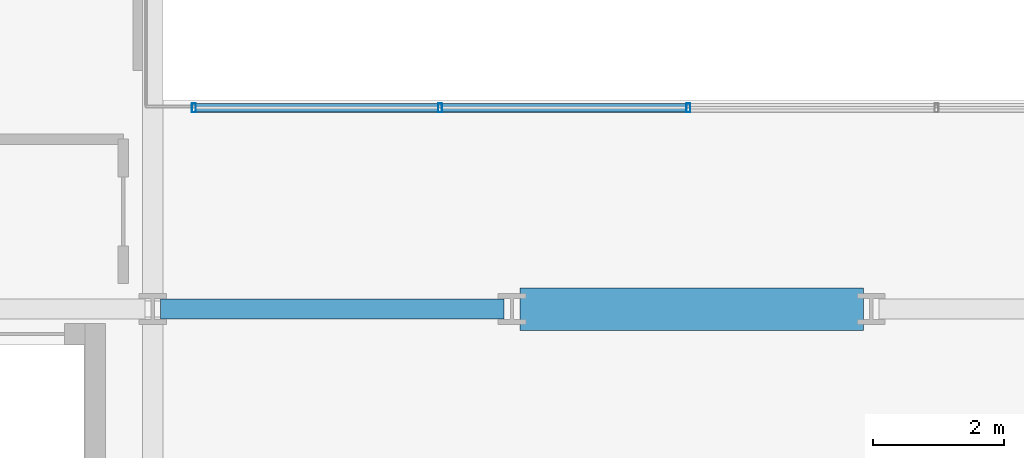
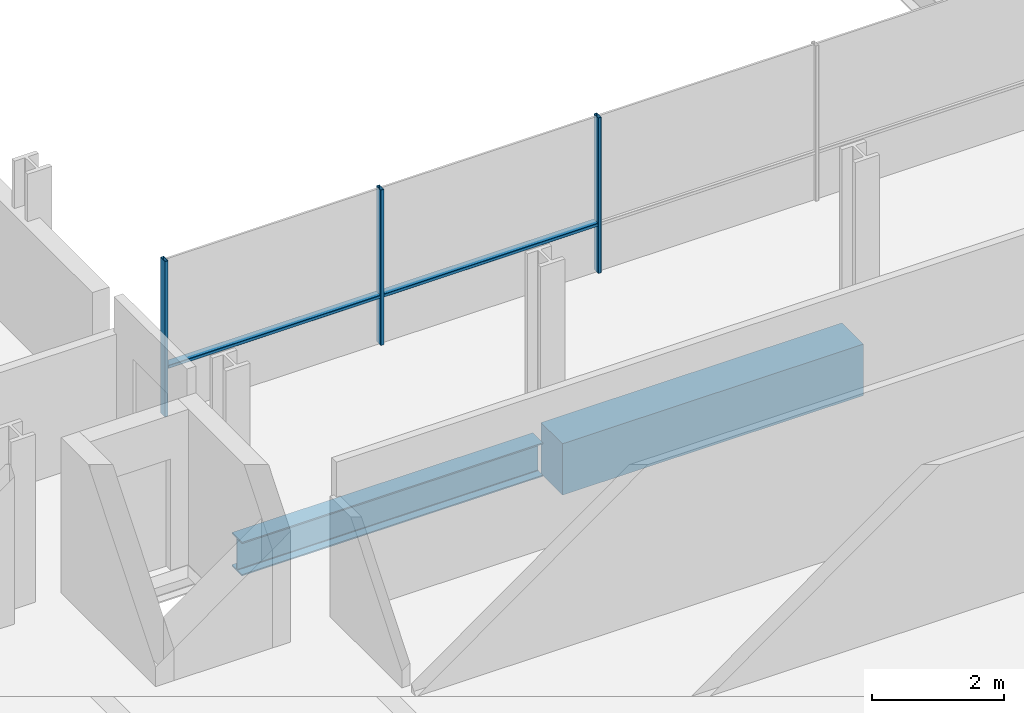
# One storey, part 4 of 39: 5 members, 2 beams, 1 element without a shape of its own.
"""IFC4 building model written with IfcOpenShell, lengths in metres."""

from ifc_helpers import new_model, si_unit, direction, frame, origin, origin_2d, place, context, subcontext, project, spatial, rectangle, hollow_rectangle, i_section, extrude, material, layer, layer_set, material_profile, profile_set, type_object, element, aggregate, save


model = new_model("IFC4")

# Units and contexts
model_context = context("Model", 3, precision=1e-05, world=origin(), true_north=direction((0.0, 1.0)))
body_context = subcontext(model_context, "Body", "Model", "MODEL_VIEW")
ifc_project = project(units=[si_unit("LENGTHUNIT", "METRE"), si_unit("AREAUNIT", "SQUARE_METRE"), si_unit("VOLUMEUNIT", "CUBIC_METRE"), si_unit("PLANEANGLEUNIT", "RADIAN"), si_unit("MASSUNIT", "GRAM", prefix="KILO")], contexts=[model_context])

# Site, building, storey
site_placement = place(None, origin())
site = spatial("IfcSite", under=ifc_project, at=site_placement, CompositionType="ELEMENT")
building_placement = place(site_placement, origin())
building = spatial("IfcBuilding", under=site, at=building_placement, Name="Brevholm Reach", CompositionType="ELEMENT")
storey_placement = place(building_placement, frame((0.0, 0.0, 34.199951171875)))
storey = spatial("IfcBuildingStorey", under=building, at=storey_placement, Name="L08", CompositionType="ELEMENT", Elevation=34.199951171875)

# Beams
ifc_material_1 = material(Name="Concrete C60/75", Category="concrete")
ifc_material_profile_1 = material_profile(ifc_material_1, rectangle(XDim=0.64990234375, YDim=0.949951171875, at=origin_2d()), Name="RC 650x950")
ifc_profile_set_1 = profile_set([ifc_material_profile_1], Name="Concrete C60/75")
beam_type_1 = type_object("IfcBeamType", Name="BM-CB650", PredefinedType="LINTEL", material=ifc_profile_set_1)
beam_1_placement = place(storey_placement, frame((27.3701171875, 10.0, -0.704833984375), z_axis=(1.0, 0.0, 0.0), x_axis=(0.0, 1.0, 0.0)))
element("IfcBeam", 1, at=beam_1_placement, inside=storey, type_object=beam_type_1, Name="L08 CB-01 Framing Beam", PredefinedType="LINTEL", context=body_context, shape_type="SweptSolid", body=[
    extrude(rectangle(XDim=0.64990234375, YDim=0.949951171875, at=origin_2d()), origin(), (0.0, 0.0, 1.0), 5.259765625),
])
ifc_material_2 = material(Name="Structural Steel S355J2", Category="steel")
ifc_material_profile_2 = material_profile(ifc_material_2, i_section(OverallWidth=0.30712890625, OverallDepth=0.6201171875, WebThickness=0.01416015625, FlangeThickness=0.023681640625, FilletRadius=0.0166015625, at=origin_2d()), Name="UKB 610x305x179")
ifc_profile_set_2 = profile_set([ifc_material_profile_2], Name="Structural Steel S355J2")
beam_type_2 = type_object("IfcBeamType", Name="BM-UKB610H", PredefinedType="USERDEFINED", material=ifc_profile_set_2)
beam_2_placement = place(storey_placement, frame((21.8701171875, 10.0, -0.5400390625), z_axis=(1.0, 0.0, 0.0), x_axis=(0.0, 1.0, 0.0)))
element("IfcBeam", 2, at=beam_2_placement, inside=storey, type_object=beam_type_2, Name="L08 G-06 Framing Beam", ObjectType="GIRDER", PredefinedType="USERDEFINED", context=body_context, shape_type="SweptSolid", body=[
    extrude(i_section(OverallWidth=0.30712890625, OverallDepth=0.6201171875, WebThickness=0.01416015625, FlangeThickness=0.023681640625, FilletRadius=0.0166015625, at=origin_2d()), origin(), (0.0, 0.0, 1.0), 5.259765625),
])

# Curtain wall, members
ifc_material_3 = material(Name="Dark Anodised Aluminium 6063-T6 and Solar-Control Glass", Category="aluminium")
ifc_layer = layer(ifc_material_3, 0.139892578125)
ifc_layer_set = layer_set([ifc_layer], Name="Dark Anodised Aluminium 6063-T6 and Solar-Control Glass")
curtain_wall_type = type_object("IfcCurtainWallType", Name="CW-02", PredefinedType="NOTDEFINED", material=ifc_layer_set)
curtain_wall_placement = place(storey_placement, origin())
curtain_wall = element("IfcCurtainWall", 3, at=curtain_wall_placement, inside=storey, type_object=curtain_wall_type, Name="L08 Curtain Wall CW-02", PredefinedType="NOTDEFINED")
ifc_material_4 = material(Name="Dark Anodised Aluminium 6063-T6", Category="aluminium")
ifc_material_profile_3 = material_profile(ifc_material_4, hollow_rectangle(XDim=0.06005859375, YDim=0.139892578125, WallThickness=0.0048828125, InnerFilletRadius=0.0048828125, OuterFilletRadius=0.010009765625, at=origin_2d()), Name="RHS 140x60x5")
ifc_profile_set_3 = profile_set([ifc_material_profile_3], Name="Dark Anodised Aluminium 6063-T6")
member_type_1 = type_object("IfcMemberType", Name="CWM-140", PredefinedType="MULLION", material=ifc_profile_set_3)
member_1_placement = place(storey_placement, frame((22.3798828125, 13.080078125, 0.0), z_axis=(0.0, 0.0, 1.0), x_axis=(1.0, 0.0, 0.0)))
member_1 = element("IfcMember", 4, at=member_1_placement, type_object=member_type_1, Name="CM-140 Mullion 1", PredefinedType="MULLION", context=body_context, shape_type="SweptSolid", body=[
    extrude(hollow_rectangle(XDim=0.06005859375, YDim=0.139892578125, WallThickness=0.0048828125, InnerFilletRadius=0.0048828125, OuterFilletRadius=0.010009765625, at=origin_2d()), origin(), (0.0, 0.0, 1.0), 2.8701171875),
])
member_2_placement = place(storey_placement, frame((26.14990234375, 13.080078125, 0.0), z_axis=(0.0, 0.0, 1.0), x_axis=(1.0, 0.0, 0.0)))
member_2 = element("IfcMember", 5, at=member_2_placement, type_object=member_type_1, Name="CM-140 Mullion 2", PredefinedType="MULLION", context=body_context, shape_type="SweptSolid", body=[
    extrude(hollow_rectangle(XDim=0.06005859375, YDim=0.139892578125, WallThickness=0.0048828125, InnerFilletRadius=0.0048828125, OuterFilletRadius=0.010009765625, at=origin_2d()), origin(), (0.0, 0.0, 1.0), 2.8701171875),
])
member_3_placement = place(storey_placement, frame((29.949951171875, 13.080078125, 0.0), z_axis=(0.0, 0.0, 1.0), x_axis=(1.0, 0.0, 0.0)))
member_3 = element("IfcMember", 6, at=member_3_placement, type_object=member_type_1, Name="CM-140 Mullion 3", PredefinedType="MULLION", context=body_context, shape_type="SweptSolid", body=[
    extrude(hollow_rectangle(XDim=0.06005859375, YDim=0.139892578125, WallThickness=0.0048828125, InnerFilletRadius=0.0048828125, OuterFilletRadius=0.010009765625, at=origin_2d()), origin(), (0.0, 0.0, 1.0), 2.8701171875),
])
ifc_material_5 = material(Name="Dark Anodised Aluminium 6063-T6", Category="aluminium")
ifc_material_profile_4 = material_profile(ifc_material_5, hollow_rectangle(XDim=0.06005859375, YDim=0.139892578125, WallThickness=0.0048828125, InnerFilletRadius=0.0048828125, OuterFilletRadius=0.010009765625, at=origin_2d()), Name="RHS 140x60x5")
ifc_profile_set_4 = profile_set([ifc_material_profile_4], Name="Dark Anodised Aluminium 6063-T6")
member_type_2 = type_object("IfcMemberType", Name="CWT-140", PredefinedType="NOTDEFINED", material=ifc_profile_set_4)
member_4_placement = place(storey_placement, frame((22.409912109375, 13.080078125, 0.900146484375), z_axis=(1.0, 0.0, 0.0), x_axis=(0.0, 0.0, 1.0)))
member_4 = element("IfcMember", 7, at=member_4_placement, type_object=member_type_2, Name="CT-140 Transom 1.1", ObjectType="TRANSOM", PredefinedType="USERDEFINED", context=body_context, shape_type="SweptSolid", body=[
    extrude(hollow_rectangle(XDim=0.06005859375, YDim=0.139892578125, WallThickness=0.0048828125, InnerFilletRadius=0.0048828125, OuterFilletRadius=0.010009765625, at=origin_2d()), origin(), (0.0, 0.0, 1.0), 3.710205078125),
])
member_5_placement = place(storey_placement, frame((26.179931640625, 13.080078125, 0.900146484375), z_axis=(1.0, 0.0, 0.0), x_axis=(0.0, 0.0, 1.0)))
member_5 = element("IfcMember", 8, at=member_5_placement, type_object=member_type_2, Name="CT-140 Transom 2.1", ObjectType="TRANSOM", PredefinedType="USERDEFINED", context=body_context, shape_type="SweptSolid", body=[
    extrude(hollow_rectangle(XDim=0.06005859375, YDim=0.139892578125, WallThickness=0.0048828125, InnerFilletRadius=0.0048828125, OuterFilletRadius=0.010009765625, at=origin_2d()), origin(), (0.0, 0.0, 1.0), 3.739990234375),
])
aggregate(curtain_wall, [member_1, member_2, member_3, member_4, member_5])

save(model, "model.ifc")
